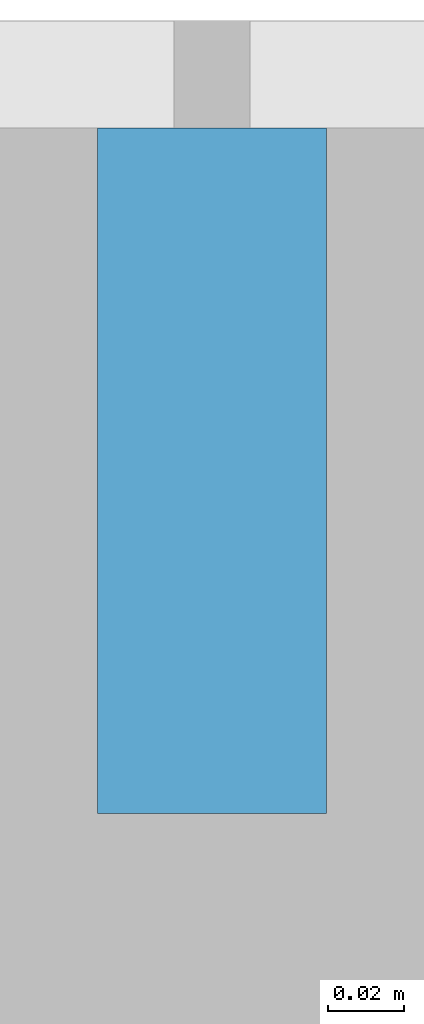
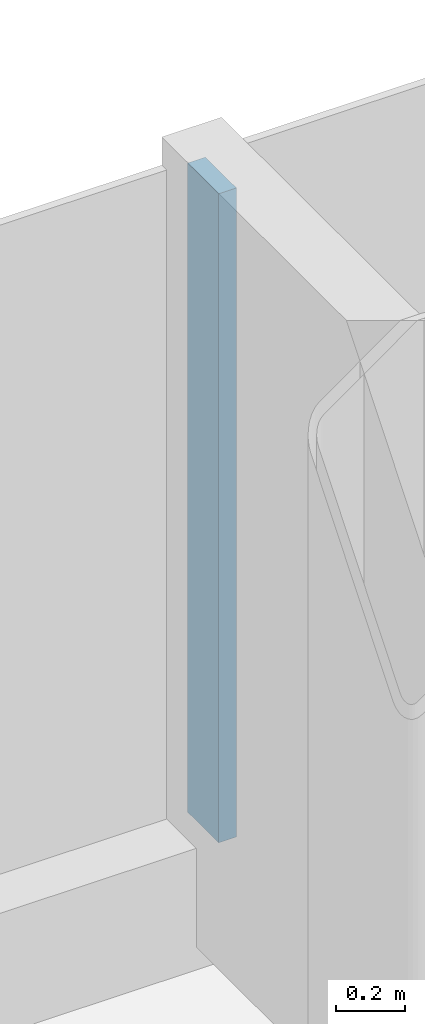
# One storey, part 9 of 26: 1 member, 1 element without a shape of its own.
"""IFC4 building model written with IfcOpenShell, lengths in metres."""

from ifc_helpers import new_model, si_unit, direction, frame, origin, origin_2d, place, context, subcontext, project, spatial, rectangle, extrude, material, layer, layer_set, material_profile, profile_set, type_object, element, aggregate, save


model = new_model("IFC4")

# Units and contexts
model_context = context("Model", 3, precision=1e-05, world=origin(), true_north=direction((0.0, 1.0)))
body_context = subcontext(model_context, "Body", "Model", "MODEL_VIEW")
ifc_project = project(units=[si_unit("LENGTHUNIT", "METRE"), si_unit("AREAUNIT", "SQUARE_METRE"), si_unit("VOLUMEUNIT", "CUBIC_METRE"), si_unit("PLANEANGLEUNIT", "RADIAN"), si_unit("MASSUNIT", "GRAM", prefix="KILO")], contexts=[model_context])

# Site, building, storey
site_placement = place(None, origin())
site = spatial("IfcSite", under=ifc_project, at=site_placement, CompositionType="ELEMENT")
building_placement = place(site_placement, origin())
building = spatial("IfcBuilding", under=site, at=building_placement, Name="Hakoniwa Tower and Hamabe Station Hall", CompositionType="ELEMENT")
storey_placement = place(building_placement, frame((0.0, 0.0, 196.199951171875)))
storey = spatial("IfcBuildingStorey", under=building, at=storey_placement, Name="L55", CompositionType="ELEMENT", Elevation=196.199951171875)

# Curtain wall, member
ifc_material_1 = material(Name="Dark low-e laminated glass", Category="glass")
ifc_layer = layer(ifc_material_1, 0.199951171875)
ifc_layer_set = layer_set([ifc_layer], Name="CW-1 UNITISED GUEST")
curtain_wall_type = type_object("IfcCurtainWallType", Name="CW-1 UNITISED GUEST", PredefinedType="NOTDEFINED", material=ifc_layer_set)
curtain_wall_placement = place(storey_placement, origin())
curtain_wall = element("IfcCurtainWall", 1, at=curtain_wall_placement, inside=storey, type_object=curtain_wall_type, Name="CW-1 curtain wall", PredefinedType="NOTDEFINED")
ifc_material_2 = material(Name="Aluminium 6063-T5 black anodised", Category="aluminium")
ifc_material_profile = material_profile(ifc_material_2, rectangle(XDim=0.06005859375, YDim=0.179931640625, at=origin_2d()), Name="CW-1 MULLION 60X180")
ifc_profile_set = profile_set([ifc_material_profile], Name="Aluminium 6063-T5 black anodised")
member_type = type_object("IfcMemberType", Name="CW-1 MULLION 60X180", PredefinedType="MULLION", material=ifc_profile_set)
member_placement = place(storey_placement, frame((16.800048828125, 20.431884765625, 0.35009765625), z_axis=(0.0, 0.0, 1.0), x_axis=(-1.0, 0.0, 0.0)))
member = element("IfcMember", 2, at=member_placement, type_object=member_type, Name="CW-1 mullion", PredefinedType="MULLION", context=body_context, shape_type="SweptSolid", body=[
    extrude(rectangle(XDim=0.06005859375, YDim=0.179931640625, at=origin_2d()), origin(), (0.0, 0.0, 1.0), 2.300048828125),
])
aggregate(curtain_wall, [member])

save(model, "model.ifc")
